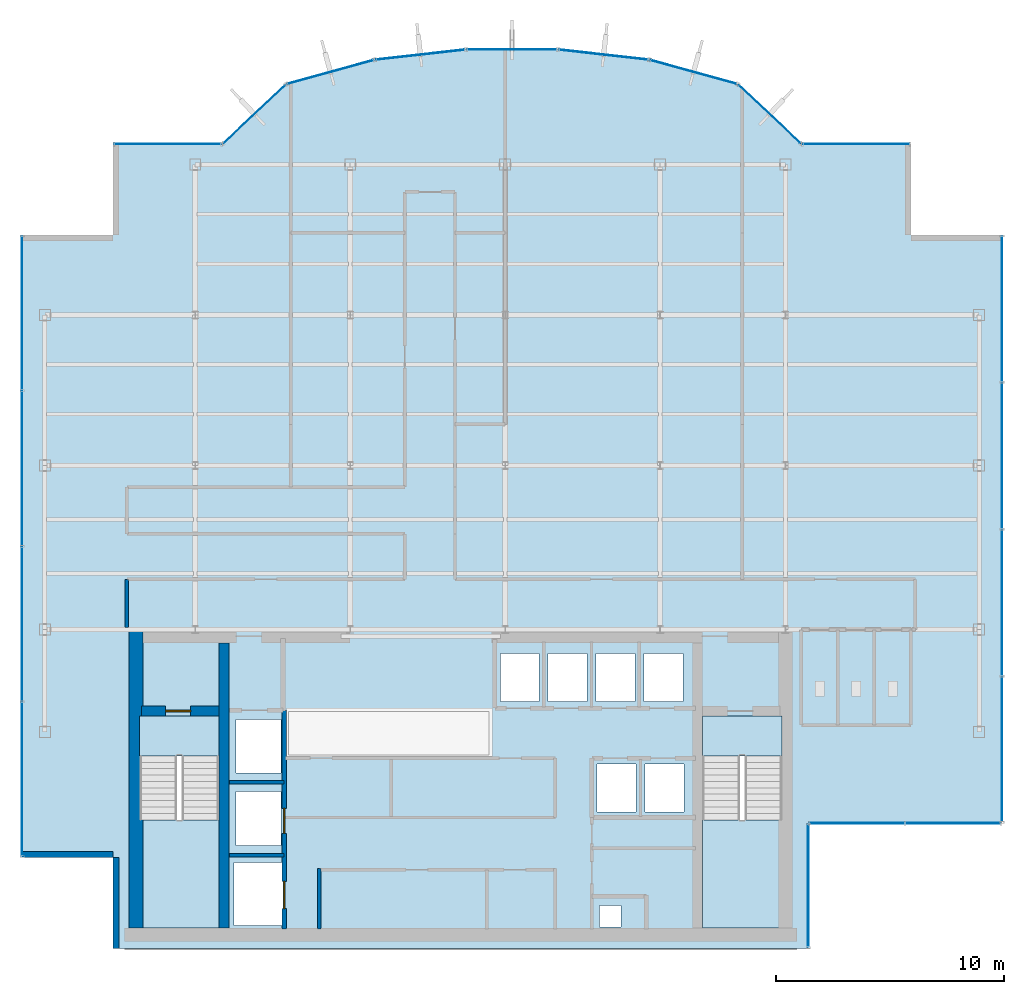
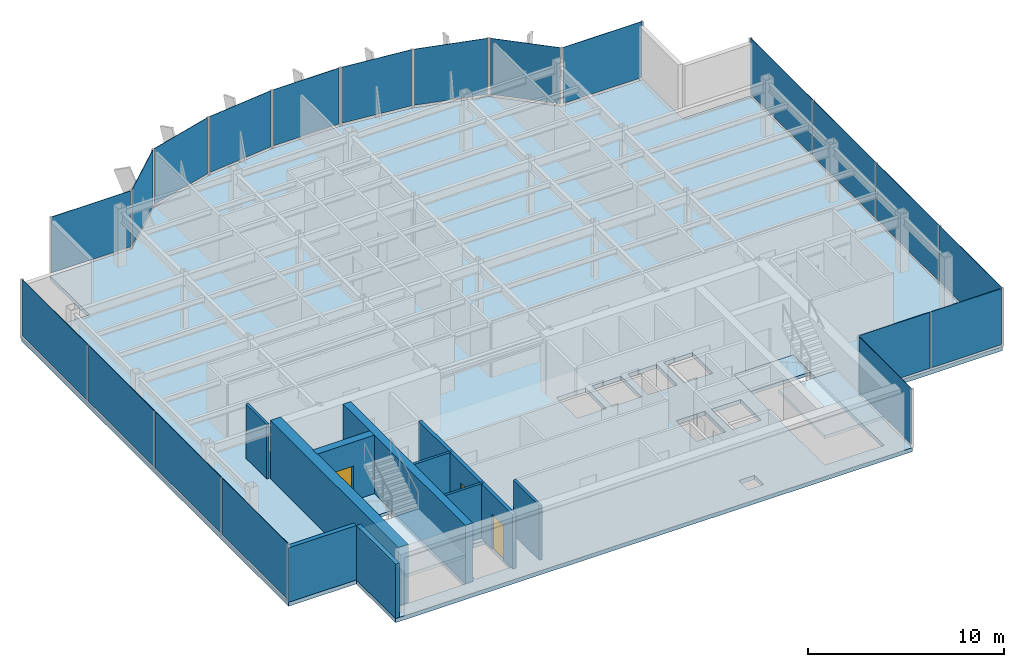
# One storey, part 16 of 22: 20 plates, 10 walls, 5 slabs, 3 doors, 3 openings, 15 elements without a shape of their own.
"""IFC4 building model written with IfcOpenShell, lengths in metres."""

from ifc_helpers import new_model, si_unit, derived_unit, direction, frame, frame_2d, origin, origin_2d, place, context, subcontext, project, spatial, polyline, rectangle, outline, extrude, source, transform, mapped, material, layer, layer_set, type_object, element, fill, aggregate, save


model = new_model("IFC4")

# Units and contexts
model_context = context("Model", 3, precision=1e-05, world=origin(), true_north=direction((0.0, 1.0)))
body_context = subcontext(model_context, "Body", "Model", "MODEL_VIEW")
ifc_project = project(units=[si_unit("LENGTHUNIT", "METRE"), si_unit("AREAUNIT", "SQUARE_METRE"), si_unit("VOLUMEUNIT", "CUBIC_METRE"), si_unit("PLANEANGLEUNIT", "RADIAN"), si_unit("MASSUNIT", "GRAM", prefix="KILO"), derived_unit("THERMALTRANSMITTANCEUNIT", [(si_unit("POWERUNIT", "WATT"), 1), (si_unit("LENGTHUNIT", "METRE"), -2), (si_unit("THERMODYNAMICTEMPERATUREUNIT", "KELVIN"), -1)])], contexts=[model_context])

# Site, building, storey
site_placement = place(None, origin())
site = spatial("IfcSite", under=ifc_project, at=site_placement, CompositionType="ELEMENT")
building_placement = place(site_placement, origin())
building = spatial("IfcBuilding", under=site, at=building_placement, Name="Skarnbrae Concourse Arena and Tower", CompositionType="ELEMENT")
storey_placement = place(building_placement, frame((0.0, 0.0, 228.75)))
storey = spatial("IfcBuildingStorey", under=building, at=storey_placement, Name="L59", CompositionType="ELEMENT", Elevation=228.75)

# Stair, slab
ifc_material_1 = material(Name="Concrete 40 MPa (C40/50)", Category="concrete")
stair_type = type_object("IfcStairType", Name="STAIR-DOGLEG-1650", PredefinedType="HALF_TURN_STAIR", material=ifc_material_1)
stair_1_placement = place(storey_placement, origin())
stair_1 = element("IfcStair", 1, at=stair_1_placement, inside=storey, type_object=stair_type, Name="L59 Protected Exit Stair ST-1", PredefinedType="HALF_TURN_STAIR")
ifc_layer_1 = layer(ifc_material_1, 0.199951171875)
ifc_layer_set_1 = layer_set([ifc_layer_1], Name="Concrete 40 MPa (C40/50)")
slab_type_1 = type_object("IfcSlabType", Name="SLAB-LANDING-200", PredefinedType="LANDING", material=ifc_layer_set_1)
slab_1_placement = place(storey_placement, frame((0.0, 0.0, 1.625)))
slab_1 = element("IfcSlab", 2, at=slab_1_placement, type_object=slab_type_1, Name="ST-1 landing 1", PredefinedType="LANDING", context=body_context, shape_type="SweptSolid", body=[
    extrude(outline(polyline([(5.14990234375, 5.64990234375), (5.14990234375, 0.89990234375), (8.64990234375, 0.89990234375), (8.64990234375, 5.64990234375), (5.14990234375, 5.64990234375)])), origin(), (0.0, 0.0, 1.0), 0.199951171875),
])
aggregate(stair_1, [slab_1])

stair_2_placement = place(storey_placement, origin())
stair_2 = element("IfcStair", 3, at=stair_2_placement, inside=storey, type_object=stair_type, Name="L59 Protected Exit Stair ST-2", PredefinedType="HALF_TURN_STAIR")
slab_2_placement = place(storey_placement, frame((0.0, 0.0, 1.625)))
slab_2 = element("IfcSlab", 4, at=slab_2_placement, type_object=slab_type_1, Name="ST-2 landing 1", PredefinedType="LANDING", context=body_context, shape_type="SweptSolid", body=[
    extrude(outline(polyline([(29.85009765625, 5.64990234375), (29.85009765625, 0.89990234375), (33.35009765625, 0.89990234375), (33.35009765625, 5.64990234375), (29.85009765625, 5.64990234375)])), origin(), (0.0, 0.0, 1.0), 0.199951171875),
])
aggregate(stair_2, [slab_2])

# Slabs
slab_3_placement = place(storey_placement, frame((0.0, 0.0, -0.199951171875)))
element("IfcSlab", 5, at=slab_3_placement, inside=storey, type_object=slab_type_1, Name="L59 Core stair ST1 floor landing", PredefinedType="LANDING", context=body_context, shape_type="SweptSolid", body=[
    extrude(outline(polyline([(5.14990234375, 10.199951171875), (5.14990234375, 8.449951171875), (8.64990234375, 8.449951171875), (8.64990234375, 10.199951171875), (5.14990234375, 10.199951171875)])), origin(), (0.0, 0.0, 1.0), 0.199951171875),
])
slab_4_placement = place(storey_placement, frame((0.0, 0.0, -0.199951171875)))
element("IfcSlab", 6, at=slab_4_placement, inside=storey, type_object=slab_type_1, Name="L59 Core stair ST2 floor landing", PredefinedType="LANDING", context=body_context, shape_type="SweptSolid", body=[
    extrude(outline(polyline([(29.85009765625, 10.199951171875), (29.85009765625, 8.449951171875), (33.35009765625, 8.449951171875), (33.35009765625, 10.199951171875), (29.85009765625, 10.199951171875)])), origin(), (0.0, 0.0, 1.0), 0.199951171875),
])
ifc_layer_2 = layer(ifc_material_1, 0.25)
ifc_layer_set_2 = layer_set([ifc_layer_2], Name="Concrete 40 MPa (C40/50)")
slab_type_2 = type_object("IfcSlabType", Name="SLAB-TOWER-250", PredefinedType="FLOOR", material=ifc_layer_set_2)
slab_5_placement = place(storey_placement, frame((0.0, 0.0, -0.25)))
element("IfcSlab", 7, at=slab_5_placement, inside=storey, type_object=slab_type_2, Name="L59 Structural floor slab", PredefinedType="FLOOR", context=body_context, shape_type="SweptSolid", body=[
    extrude(outline(polyline([(4.0, 0.0), (34.5, 0.0), (34.5, 5.5), (43.0, 5.5), (43.0, 31.300048828125), (39.0, 31.300048828125), (39.0, 35.300048828125), (34.199951171875, 35.300048828125), (31.40966796875, 37.9267578125), (27.52587890625, 38.9970703125), (23.51708984375, 39.44677734375), (19.48291015625, 39.44677734375), (15.47412109375, 38.9970703125), (11.59033203125, 37.9267578125), (8.800048828125, 35.300048828125), (4.0, 35.300048828125), (4.0, 31.300048828125), (0.0, 31.300048828125), (0.0, 4.0), (4.0, 4.0), (4.0, 0.0)]), holes=[polyline([(9.294921875, 1.02001953125), (9.294921875, 3.780029296875), (11.455078125, 3.780029296875), (11.455078125, 1.02001953125), (9.294921875, 1.02001953125)]), polyline([(8.64990234375, 10.199951171875), (8.64990234375, 0.89990234375), (5.14990234375, 0.89990234375), (5.14990234375, 10.199951171875), (8.64990234375, 10.199951171875)]), polyline([(9.39501953125, 6.8798828125), (11.35498046875, 6.8798828125), (11.35498046875, 4.52001953125), (9.39501953125, 4.52001953125), (9.39501953125, 6.8798828125)]), polyline([(9.39501953125, 7.695068359375), (9.39501953125, 10.054931640625), (11.35498046875, 10.054931640625), (11.35498046875, 7.695068359375), (9.39501953125, 7.695068359375)]), polyline([(20.985107421875, 12.955078125), (22.695068359375, 12.955078125), (22.695068359375, 10.844970703125), (20.985107421875, 10.844970703125), (20.985107421875, 12.955078125)]), polyline([(23.0849609375, 12.955078125), (24.794921875, 12.955078125), (24.794921875, 10.844970703125), (23.0849609375, 10.844970703125), (23.0849609375, 12.955078125)]), polyline([(25.35009765625, 0.949951171875), (25.35009765625, 1.889892578125), (26.280029296875, 1.889892578125), (26.280029296875, 0.949951171875), (25.35009765625, 0.949951171875)]), polyline([(33.35009765625, 10.199951171875), (33.35009765625, 0.89990234375), (29.85009765625, 0.89990234375), (29.85009765625, 10.199951171875), (33.35009765625, 10.199951171875)]), polyline([(25.235107421875, 8.10498046875), (26.945068359375, 8.10498046875), (26.945068359375, 5.9951171875), (25.235107421875, 5.9951171875), (25.235107421875, 8.10498046875)]), polyline([(27.3349609375, 5.9951171875), (27.3349609375, 8.10498046875), (29.044921875, 8.10498046875), (29.044921875, 5.9951171875), (27.3349609375, 5.9951171875)]), polyline([(25.18505859375, 12.955078125), (26.89501953125, 12.955078125), (26.89501953125, 10.844970703125), (25.18505859375, 10.844970703125), (25.18505859375, 12.955078125)]), polyline([(27.284912109375, 12.955078125), (28.9951171875, 12.955078125), (28.9951171875, 10.844970703125), (27.284912109375, 10.844970703125), (27.284912109375, 12.955078125)])]), origin(), (0.0, 0.0, 1.0), 0.25),
])

# Curtain wall, plate
ifc_material_2 = material(Name="Bronze anodised aluminium 6063-T6", Category="aluminium")
curtain_wall_type = type_object("IfcCurtainWallType", Name="CW-SYS-05-HIGHZONE", PredefinedType="USERDEFINED", material=ifc_material_2)
curtain_wall_1_placement = place(storey_placement, origin())
curtain_wall_1 = element("IfcCurtainWall", 8, at=curtain_wall_1_placement, inside=storey, type_object=curtain_wall_type, Name="L59 Unitised curtain wall CW-L59-E02", ObjectType="UNITISED CURTAIN WALL", PredefinedType="USERDEFINED")
ifc_material_3 = material(Name="Low-E triple insulating glass", Category="glass")
ifc_layer_3 = layer(ifc_material_3, 0.030029296875)
ifc_layer_set_3 = layer_set([ifc_layer_3], Name="Low-E triple insulating glass")
plate_type = type_object("IfcPlateType", Name="CWP-CW-05", PredefinedType="CURTAIN_PANEL", material=ifc_layer_set_3)
shared_shape_1 = source(origin(), body_context, "Body", "SweptSolid", [
    extrude(rectangle(XDim=5.35009765625, YDim=0.030029296875, at=origin_2d()), origin(), (0.0, 0.0, 1.0), 3.5),
])
plate_1_placement = place(storey_placement, frame((34.5, 2.75, 0.14990234375), z_axis=(0.0, 0.0, 1.0), x_axis=(0.0, 1.0, 0.0)))
plate_1 = element("IfcPlate", 9, at=plate_1_placement, type_object=plate_type, Name="CW-L59-E02 Low-E Glazing Panel 1", PredefinedType="CURTAIN_PANEL", context=body_context, shape_type="MappedRepresentation", body=[
    mapped(shared_shape_1, transform((0.0, 0.0, 0.0))),
])
aggregate(curtain_wall_1, [plate_1])

# Curtain wall, plates
curtain_wall_2_placement = place(storey_placement, origin())
curtain_wall_2 = element("IfcCurtainWall", 10, at=curtain_wall_2_placement, inside=storey, type_object=curtain_wall_type, Name="L59 Unitised curtain wall CW-L59-E03", ObjectType="UNITISED CURTAIN WALL", PredefinedType="USERDEFINED")
shared_shape_2 = source(origin(), body_context, "Body", "SweptSolid", [
    extrude(rectangle(XDim=4.137451171875, YDim=0.030029296875, at=origin_2d()), origin(), (0.0, 0.0, 1.0), 3.5),
])
plate_2_placement = place(storey_placement, frame((36.643798828125, 5.5, 0.14990234375), z_axis=(0.0, 0.0, 1.0), x_axis=(1.0, 0.0, 0.0)))
plate_2 = element("IfcPlate", 11, at=plate_2_placement, type_object=plate_type, Name="CW-L59-E03 Low-E Glazing Panel 1", PredefinedType="CURTAIN_PANEL", context=body_context, shape_type="MappedRepresentation", body=[
    mapped(shared_shape_2, transform((0.0, 0.0, 0.0))),
])
plate_3_placement = place(storey_placement, frame((40.856201171875, 5.5, 0.14990234375), z_axis=(0.0, 0.0, 1.0), x_axis=(1.0, 0.0, 0.0)))
plate_3 = element("IfcPlate", 12, at=plate_3_placement, type_object=plate_type, Name="CW-L59-E03 Low-E Glazing Panel 2", PredefinedType="CURTAIN_PANEL", context=body_context, shape_type="MappedRepresentation", body=[
    mapped(shared_shape_2, transform((0.0, 0.0, 0.0))),
])
aggregate(curtain_wall_2, [plate_2, plate_3])

# Curtain wall, plate
curtain_wall_3_placement = place(storey_placement, origin())
curtain_wall_3 = element("IfcCurtainWall", 13, at=curtain_wall_3_placement, inside=storey, type_object=curtain_wall_type, Name="L59 Unitised curtain wall CW-L59-E07", ObjectType="UNITISED CURTAIN WALL", PredefinedType="USERDEFINED")
shared_shape_3 = source(origin(), body_context, "Body", "SweptSolid", [
    extrude(rectangle(XDim=4.64990234375, YDim=0.030029296875, at=origin_2d()), origin(), (0.0, 0.0, 1.0), 3.5),
])
plate_4_placement = place(storey_placement, frame((36.60009765625, 35.300048828125, 0.14990234375), z_axis=(0.0, 0.0, 1.0), x_axis=(-1.0, 0.0, 0.0)))
plate_4 = element("IfcPlate", 14, at=plate_4_placement, type_object=plate_type, Name="CW-L59-E07 Low-E Glazing Panel 1", PredefinedType="CURTAIN_PANEL", context=body_context, shape_type="MappedRepresentation", body=[
    mapped(shared_shape_3, transform((0.0, 0.0, 0.0))),
])
aggregate(curtain_wall_3, [plate_4])

curtain_wall_4_placement = place(storey_placement, origin())
curtain_wall_4 = element("IfcCurtainWall", 15, at=curtain_wall_4_placement, inside=storey, type_object=curtain_wall_type, Name="L59 Unitised curtain wall CW-L59-E15", ObjectType="UNITISED CURTAIN WALL", PredefinedType="USERDEFINED")
plate_5_placement = place(storey_placement, frame((6.39990234375, 35.300048828125, 0.14990234375), z_axis=(0.0, 0.0, 1.0), x_axis=(-1.0, 0.0, 0.0)))
plate_5 = element("IfcPlate", 16, at=plate_5_placement, type_object=plate_type, Name="CW-L59-E15 Low-E Glazing Panel 1", PredefinedType="CURTAIN_PANEL", context=body_context, shape_type="MappedRepresentation", body=[
    mapped(shared_shape_3, transform((0.0, 0.0, 0.0))),
])
aggregate(curtain_wall_4, [plate_5])

curtain_wall_5_placement = place(storey_placement, origin())
curtain_wall_5 = element("IfcCurtainWall", 17, at=curtain_wall_5_placement, inside=storey, type_object=curtain_wall_type, Name="L59 Unitised curtain wall CW-L59-E08", ObjectType="UNITISED CURTAIN WALL", PredefinedType="USERDEFINED")
shared_shape_4 = source(origin(), body_context, "Body", "SweptSolid", [
    extrude(rectangle(XDim=3.68212890625, YDim=0.030029296875, at=origin_2d()), origin(), (0.0, 0.0, 1.0), 3.5),
])
plate_6_placement = place(storey_placement, frame((32.804931640625, 36.61328125, 0.14990234375), z_axis=(0.0, 0.0, 1.0), x_axis=(-0.728130555214, 0.685438468838, 0.0)))
plate_6 = element("IfcPlate", 18, at=plate_6_placement, type_object=plate_type, Name="CW-L59-E08 Low-E Glazing Panel 1", PredefinedType="CURTAIN_PANEL", context=body_context, shape_type="MappedRepresentation", body=[
    mapped(shared_shape_4, transform((0.0, 0.0, 0.0))),
])
aggregate(curtain_wall_5, [plate_6])

curtain_wall_6_placement = place(storey_placement, origin())
curtain_wall_6 = element("IfcCurtainWall", 19, at=curtain_wall_6_placement, inside=storey, type_object=curtain_wall_type, Name="L59 Unitised curtain wall CW-L59-E14", ObjectType="UNITISED CURTAIN WALL", PredefinedType="USERDEFINED")
plate_7_placement = place(storey_placement, frame((10.195068359375, 36.61328125, 0.14990234375), z_axis=(0.0, 0.0, 1.0), x_axis=(-0.728130555214, -0.685438468838, 0.0)))
plate_7 = element("IfcPlate", 20, at=plate_7_placement, type_object=plate_type, Name="CW-L59-E14 Low-E Glazing Panel 1", PredefinedType="CURTAIN_PANEL", context=body_context, shape_type="MappedRepresentation", body=[
    mapped(shared_shape_4, transform((0.0, 0.0, 0.0))),
])
aggregate(curtain_wall_6, [plate_7])

curtain_wall_7_placement = place(storey_placement, origin())
curtain_wall_7 = element("IfcCurtainWall", 21, at=curtain_wall_7_placement, inside=storey, type_object=curtain_wall_type, Name="L59 Unitised curtain wall CW-L59-E09", ObjectType="UNITISED CURTAIN WALL", PredefinedType="USERDEFINED")
shared_shape_5 = source(origin(), body_context, "Body", "SweptSolid", [
    extrude(rectangle(XDim=3.878662109375, YDim=0.030029296875, at=origin_2d()), origin(), (0.0, 0.0, 1.0), 3.5),
])
plate_8_placement = place(storey_placement, frame((29.4677734375, 38.4619140625, 0.14990234375), z_axis=(0.0, 0.0, 1.0), x_axis=(-0.964057388766, 0.265694093207, 0.0)))
plate_8 = element("IfcPlate", 22, at=plate_8_placement, type_object=plate_type, Name="CW-L59-E09 Low-E Glazing Panel 1", PredefinedType="CURTAIN_PANEL", context=body_context, shape_type="MappedRepresentation", body=[
    mapped(shared_shape_5, transform((0.0, 0.0, 0.0))),
])
aggregate(curtain_wall_7, [plate_8])

curtain_wall_8_placement = place(storey_placement, origin())
curtain_wall_8 = element("IfcCurtainWall", 23, at=curtain_wall_8_placement, inside=storey, type_object=curtain_wall_type, Name="L59 Unitised curtain wall CW-L59-E13", ObjectType="UNITISED CURTAIN WALL", PredefinedType="USERDEFINED")
plate_9_placement = place(storey_placement, frame((13.5322265625, 38.4619140625, 0.14990234375), z_axis=(0.0, 0.0, 1.0), x_axis=(-0.964057388766, -0.265694093207, 0.0)))
plate_9 = element("IfcPlate", 24, at=plate_9_placement, type_object=plate_type, Name="CW-L59-E13 Low-E Glazing Panel 1", PredefinedType="CURTAIN_PANEL", context=body_context, shape_type="MappedRepresentation", body=[
    mapped(shared_shape_5, transform((0.0, 0.0, 0.0))),
])
aggregate(curtain_wall_8, [plate_9])

curtain_wall_9_placement = place(storey_placement, origin())
curtain_wall_9 = element("IfcCurtainWall", 25, at=curtain_wall_9_placement, inside=storey, type_object=curtain_wall_type, Name="L59 Unitised curtain wall CW-L59-E10", ObjectType="UNITISED CURTAIN WALL", PredefinedType="USERDEFINED")
shared_shape_6 = source(origin(), body_context, "Body", "SweptSolid", [
    extrude(rectangle(XDim=3.8837890625, YDim=0.030029296875, at=origin_2d()), origin(), (0.0, 0.0, 1.0), 3.5),
])
plate_10_placement = place(storey_placement, frame((25.521484375, 39.221923828125, 0.14990234375), z_axis=(0.0, 0.0, 1.0), x_axis=(-0.993768891873, 0.111460259941, 0.0)))
plate_10 = element("IfcPlate", 26, at=plate_10_placement, type_object=plate_type, Name="CW-L59-E10 Low-E Glazing Panel 1", PredefinedType="CURTAIN_PANEL", context=body_context, shape_type="MappedRepresentation", body=[
    mapped(shared_shape_6, transform((0.0, 0.0, 0.0))),
])
aggregate(curtain_wall_9, [plate_10])

curtain_wall_10_placement = place(storey_placement, origin())
curtain_wall_10 = element("IfcCurtainWall", 27, at=curtain_wall_10_placement, inside=storey, type_object=curtain_wall_type, Name="L59 Unitised curtain wall CW-L59-E12", ObjectType="UNITISED CURTAIN WALL", PredefinedType="USERDEFINED")
plate_11_placement = place(storey_placement, frame((17.478515625, 39.221923828125, 0.14990234375), z_axis=(0.0, 0.0, 1.0), x_axis=(-0.993768891873, -0.111460259941, 0.0)))
plate_11 = element("IfcPlate", 28, at=plate_11_placement, type_object=plate_type, Name="CW-L59-E12 Low-E Glazing Panel 1", PredefinedType="CURTAIN_PANEL", context=body_context, shape_type="MappedRepresentation", body=[
    mapped(shared_shape_6, transform((0.0, 0.0, 0.0))),
])
aggregate(curtain_wall_10, [plate_11])

curtain_wall_11_placement = place(storey_placement, origin())
curtain_wall_11 = element("IfcCurtainWall", 29, at=curtain_wall_11_placement, inside=storey, type_object=curtain_wall_type, Name="L59 Unitised curtain wall CW-L59-E11", ObjectType="UNITISED CURTAIN WALL", PredefinedType="USERDEFINED")
shared_shape_7 = source(origin(), body_context, "Body", "SweptSolid", [
    extrude(rectangle(XDim=3.884521484375, YDim=0.030029296875, at=origin_2d()), origin(), (0.0, 0.0, 1.0), 3.5),
])
plate_12_placement = place(storey_placement, frame((21.5, 39.44677734375, 0.14990234375), z_axis=(0.0, 0.0, 1.0), x_axis=(-1.0, 0.0, 0.0)))
plate_12 = element("IfcPlate", 30, at=plate_12_placement, type_object=plate_type, Name="CW-L59-E11 Low-E Glazing Panel 1", PredefinedType="CURTAIN_PANEL", context=body_context, shape_type="MappedRepresentation", body=[
    mapped(shared_shape_7, transform((0.0, 0.0, 0.0))),
])
aggregate(curtain_wall_11, [plate_12])

# Curtain wall, plates
curtain_wall_12_placement = place(storey_placement, origin())
curtain_wall_12 = element("IfcCurtainWall", 31, at=curtain_wall_12_placement, inside=storey, type_object=curtain_wall_type, Name="L59 Unitised curtain wall CW-L59-E18", ObjectType="UNITISED CURTAIN WALL", PredefinedType="USERDEFINED")
shared_shape_8 = source(origin(), body_context, "Body", "SweptSolid", [
    extrude(rectangle(XDim=6.71240234375, YDim=0.030029296875, at=origin_2d()), origin(), (0.0, 0.0, 1.0), 3.5),
])
plate_13_placement = place(storey_placement, frame((0.0, 27.86865234375, 0.14990234375), z_axis=(0.0, 0.0, 1.0), x_axis=(0.0, -1.0, 0.0)))
plate_13 = element("IfcPlate", 32, at=plate_13_placement, type_object=plate_type, Name="CW-L59-E18 Low-E Glazing Panel 1", PredefinedType="CURTAIN_PANEL", context=body_context, shape_type="MappedRepresentation", body=[
    mapped(shared_shape_8, transform((0.0, 0.0, 0.0))),
])
plate_14_placement = place(storey_placement, frame((0.0, 7.431396484375, 0.14990234375), z_axis=(0.0, 0.0, 1.0), x_axis=(0.0, -1.0, 0.0)))
plate_14 = element("IfcPlate", 33, at=plate_14_placement, type_object=plate_type, Name="CW-L59-E18 Low-E Glazing Panel 4", PredefinedType="CURTAIN_PANEL", context=body_context, shape_type="MappedRepresentation", body=[
    mapped(shared_shape_8, transform((0.0, 0.0, 0.0))),
])
shared_shape_9 = source(origin(), body_context, "Body", "SweptSolid", [
    extrude(rectangle(XDim=6.75, YDim=0.030029296875, at=origin_2d()), origin(), (0.0, 0.0, 1.0), 3.5),
])
plate_15_placement = place(storey_placement, frame((0.0, 21.0625, 0.14990234375), z_axis=(0.0, 0.0, 1.0), x_axis=(0.0, -1.0, 0.0)))
plate_15 = element("IfcPlate", 34, at=plate_15_placement, type_object=plate_type, Name="CW-L59-E18 Low-E Glazing Panel 2", PredefinedType="CURTAIN_PANEL", context=body_context, shape_type="MappedRepresentation", body=[
    mapped(shared_shape_9, transform((0.0, 0.0, 0.0))),
])
plate_16_placement = place(storey_placement, frame((0.0, 14.237548828125, 0.14990234375), z_axis=(0.0, 0.0, 1.0), x_axis=(0.0, -1.0, 0.0)))
plate_16 = element("IfcPlate", 35, at=plate_16_placement, type_object=plate_type, Name="CW-L59-E18 Low-E Glazing Panel 3", PredefinedType="CURTAIN_PANEL", context=body_context, shape_type="MappedRepresentation", body=[
    mapped(shared_shape_9, transform((0.0, 0.0, 0.0))),
])
aggregate(curtain_wall_12, [plate_13, plate_15, plate_16, plate_14])

curtain_wall_13_placement = place(storey_placement, origin())
curtain_wall_13 = element("IfcCurtainWall", 36, at=curtain_wall_13_placement, inside=storey, type_object=curtain_wall_type, Name="L59 Unitised curtain wall CW-L59-E04", ObjectType="UNITISED CURTAIN WALL", PredefinedType="USERDEFINED")
shared_shape_10 = source(origin(), body_context, "Body", "SweptSolid", [
    extrude(rectangle(XDim=6.33740234375, YDim=0.030029296875, at=origin_2d()), origin(), (0.0, 0.0, 1.0), 3.5),
])
plate_17_placement = place(storey_placement, frame((43.0, 8.743896484375, 0.14990234375), z_axis=(0.0, 0.0, 1.0), x_axis=(0.0, 1.0, 0.0)))
plate_17 = element("IfcPlate", 37, at=plate_17_placement, type_object=plate_type, Name="CW-L59-E04 Low-E Glazing Panel 1", PredefinedType="CURTAIN_PANEL", context=body_context, shape_type="MappedRepresentation", body=[
    mapped(shared_shape_10, transform((0.0, 0.0, 0.0))),
])
plate_18_placement = place(storey_placement, frame((43.0, 28.05615234375, 0.14990234375), z_axis=(0.0, 0.0, 1.0), x_axis=(0.0, 1.0, 0.0)))
plate_18 = element("IfcPlate", 38, at=plate_18_placement, type_object=plate_type, Name="CW-L59-E04 Low-E Glazing Panel 4", PredefinedType="CURTAIN_PANEL", context=body_context, shape_type="MappedRepresentation", body=[
    mapped(shared_shape_10, transform((0.0, 0.0, 0.0))),
])
shared_shape_11 = source(origin(), body_context, "Body", "SweptSolid", [
    extrude(rectangle(XDim=6.375, YDim=0.030029296875, at=origin_2d()), origin(), (0.0, 0.0, 1.0), 3.5),
])
plate_19_placement = place(storey_placement, frame((43.0, 15.175048828125, 0.14990234375), z_axis=(0.0, 0.0, 1.0), x_axis=(0.0, 1.0, 0.0)))
plate_19 = element("IfcPlate", 39, at=plate_19_placement, type_object=plate_type, Name="CW-L59-E04 Low-E Glazing Panel 2", PredefinedType="CURTAIN_PANEL", context=body_context, shape_type="MappedRepresentation", body=[
    mapped(shared_shape_11, transform((0.0, 0.0, 0.0))),
])
plate_20_placement = place(storey_placement, frame((43.0, 21.625, 0.14990234375), z_axis=(0.0, 0.0, 1.0), x_axis=(0.0, 1.0, 0.0)))
plate_20 = element("IfcPlate", 40, at=plate_20_placement, type_object=plate_type, Name="CW-L59-E04 Low-E Glazing Panel 3", PredefinedType="CURTAIN_PANEL", context=body_context, shape_type="MappedRepresentation", body=[
    mapped(shared_shape_11, transform((0.0, 0.0, 0.0))),
])
aggregate(curtain_wall_13, [plate_17, plate_19, plate_20, plate_18])

# Wall, opening, door
ifc_material_4 = material(Name="Concrete 50 MPa (C50/60)", Category="concrete")
ifc_layer_4 = layer(ifc_material_4, 0.449951171875)
ifc_layer_set_4 = layer_set([ifc_layer_4], Name="Concrete 50 MPa (C50/60)")
wall_type_1 = type_object("IfcWallType", Name="WALL-CORE-450-C50", PredefinedType="SHEAR", material=ifc_layer_set_4)
shared_shape_12 = source(origin(), body_context, "Body", "SweptSolid", [
    extrude(rectangle(XDim=3.389892578125, YDim=0.449951171875, at=frame_2d((1.69482421875, 0.0))), origin(), (0.0, 0.0, 1.0), 3.64990234375),
])
wall_1_placement = place(storey_placement, frame((5.25, 10.419921875, 0.0), z_axis=(0.0, 0.0, 1.0), x_axis=(1.0, 0.0, 0.0)))
wall_1 = element("IfcWall", 41, at=wall_1_placement, inside=storey, type_object=wall_type_1, Name="L59 Rear core shear wall CW-ST1-N", PredefinedType="SHEAR", context=body_context, shape_type="MappedRepresentation", body=[
    mapped(shared_shape_12, transform((0.0, 0.0, 0.0))),
])
opening_1_placement = place(wall_1_placement, frame((1.050048828125, 0.0, 0.0)))
opening_1 = element("IfcOpeningElement", 42, at=opening_1_placement, cuts=wall_1, Name="Opening DT-03", PredefinedType="OPENING", context=body_context, shape_type="SweptSolid", body=[
    extrude(rectangle(XDim=1.10009765625, YDim=2.14990234375, at=frame_2d((0.550048828125, 1.074951171875))), frame((0.0, 0.23486328125, 0.0), z_axis=(0.0, -1.0, 0.0), x_axis=(1.0, 0.0, 0.0)), (0.0, 0.0, 1.0), 0.469970703125),
])
ifc_material_5 = material(Name="Steel CSA G40.21 350W", Category="steel")
door_type_1 = type_object("IfcDoorType", Name="DOOR-FIRE-1100-90M", OperationType="NOTDEFINED", PredefinedType="DOOR", material=ifc_material_5)
shared_shape_13 = source(origin(), body_context, "Body", "SweptSolid", [
    extrude(rectangle(XDim=1.10009765625, YDim=2.14990234375, at=frame_2d((0.550048828125, 1.074951171875))), frame((0.0, 0.02490234375, 0.0), z_axis=(0.0, -1.0, 0.0), x_axis=(1.0, 0.0, 0.0)), (0.0, 0.0, 1.0), 0.050048828125),
])
door_1_placement = place(opening_1_placement, frame((1.10009765625, 0.0, 0.0), z_axis=(0.0, 0.0, 1.0), x_axis=(-1.0, 0.0, 0.0)))
door_1 = element("IfcDoor", 43, at=door_1_placement, inside=storey, type_object=door_type_1, Name="D-1790 Stair ST-1 Door", OperationType="SINGLE_SWING_LEFT", OverallHeight=2.14990234375, OverallWidth=1.10009765625, PredefinedType="DOOR", context=body_context, shape_type="MappedRepresentation", body=[
    mapped(shared_shape_13, transform((0.0, 0.0, 0.0))),
])
fill(opening_1, door_1)

# Walls
ifc_layer_5 = layer(ifc_material_4, 0.60009765625)
ifc_layer_set_5 = layer_set([ifc_layer_5], Name="Concrete 50 MPa (C50/60)")
wall_type_2 = type_object("IfcWallType", Name="WALL-CORE-600-C50", PredefinedType="SHEAR", material=ifc_layer_set_5)
shared_shape_14 = source(origin(), body_context, "Body", "SweptSolid", [
    extrude(rectangle(XDim=13.10009765625, YDim=0.60009765625, at=frame_2d((6.550048828125, 0.0))), origin(), (0.0, 0.0, 1.0), 3.64990234375),
])
wall_2_placement = place(storey_placement, frame((5.0, 0.89990234375, 0.0), z_axis=(0.0, 0.0, 1.0), x_axis=(0.0, 1.0, 0.0)))
element("IfcWall", 44, at=wall_2_placement, inside=storey, type_object=wall_type_2, Name="L59 Rear core shear wall CW-W", PredefinedType="SHEAR", context=body_context, shape_type="MappedRepresentation", body=[
    mapped(shared_shape_14, transform((0.0, 0.0, 0.0))),
])
shared_shape_15 = source(origin(), body_context, "Body", "SweptSolid", [
    extrude(rectangle(XDim=12.5, YDim=0.449951171875, at=frame_2d((6.25, 0.0))), origin(), (0.0, 0.0, 1.0), 3.64990234375),
])
wall_3_placement = place(storey_placement, frame((8.864990234375, 0.89990234375, 0.0), z_axis=(0.0, 0.0, 1.0), x_axis=(0.0, 1.0, 0.0)))
element("IfcWall", 45, at=wall_3_placement, inside=storey, type_object=wall_type_1, Name="L59 Rear core shear wall CW-WEB-W", PredefinedType="SHEAR", context=body_context, shape_type="MappedRepresentation", body=[
    mapped(shared_shape_15, transform((0.0, 0.0, 0.0))),
])
ifc_material_6 = material(Name="Precast concrete 40 MPa (C40/50)", Category="concrete")
ifc_layer_6 = layer(ifc_material_6, 0.25)
ifc_layer_set_6 = layer_set([ifc_layer_6], Name="Precast concrete 40 MPa (C40/50)")
wall_type_3 = type_object("IfcWallType", Name="WALL-EXT-SPANDREL-250", PredefinedType="STANDARD", material=ifc_layer_set_6)
shared_shape_16 = source(origin(), body_context, "Body", "SweptSolid", [
    extrude(rectangle(XDim=4.0, YDim=0.25, at=frame_2d((2.0, 0.0))), origin(), (0.0, 0.0, 1.0), 3.39990234375),
])
for number, where, z_axis, x_axis, name in (
    (46, (0.0, 4.125, 0.0), (0.0, 0.0, 1.0), (1.0, 0.0, 0.0), "L59 Notched corner insulated return wall 19"),
    (47, (4.125, 4.0, 0.0), (0.0, 0.0, 1.0), (0.0, -1.0, 0.0), "L59 Notched corner insulated return wall 20"),
):
    element("IfcWall", number, at=place(storey_placement, frame(where, z_axis=z_axis, x_axis=x_axis)), inside=storey, type_object=wall_type_3, Name=name, PredefinedType="STANDARD", context=body_context, shape_type="MappedRepresentation", body=[
        mapped(shared_shape_16, transform((0.0, 0.0, 0.0))),
    ])

# Wall, openings, doors
ifc_material_7 = material(Name="Gypsum board on cold-formed steel studs", Category="steel")
ifc_layer_7 = layer(ifc_material_7, 0.199951171875)
ifc_layer_set_7 = layer_set([ifc_layer_7], Name="Gypsum board on cold-formed steel studs")
wall_type_4 = type_object("IfcWallType", Name="WALL-PART-200-2HR", PredefinedType="PARTITIONING", material=ifc_layer_set_7)
shared_shape_17 = source(origin(), body_context, "Body", "SweptSolid", [
    extrude(rectangle(XDim=9.599853515625, YDim=0.199951171875, at=frame_2d((4.7998046875, 0.0))), origin(), (0.0, 0.0, 1.0), 3.39990234375),
])
wall_4_placement = place(storey_placement, frame((11.5, 0.85009765625, 0.0), z_axis=(0.0, 0.0, 1.0), x_axis=(0.0, 1.0, 0.0)))
wall_4 = element("IfcWall", 48, at=wall_4_placement, inside=storey, type_object=wall_type_4, Name="L59 Interior partition wall W-L59-FL-E", PredefinedType="PARTITIONING", context=body_context, shape_type="MappedRepresentation", body=[
    mapped(shared_shape_17, transform((0.0, 0.0, 0.0))),
])
opening_2_placement = place(wall_4_placement, frame((4.199951171875, 0.0, 0.0)))
opening_2 = element("IfcOpeningElement", 49, at=opening_2_placement, cuts=wall_4, Name="Opening LD-01", PredefinedType="OPENING", context=body_context, shape_type="SweptSolid", body=[
    extrude(rectangle(XDim=1.10009765625, YDim=2.14990234375, at=frame_2d((0.550048828125, 1.074951171875))), frame((0.0, 0.10986328125, 0.0), z_axis=(0.0, -1.0, 0.0), x_axis=(1.0, 0.0, 0.0)), (0.0, 0.0, 1.0), 0.219970703125),
])
opening_3_placement = place(wall_4_placement, frame((0.89990234375, 0.0, 0.0)))
opening_3 = element("IfcOpeningElement", 50, at=opening_3_placement, cuts=wall_4, Name="Opening LD-02", PredefinedType="OPENING", context=body_context, shape_type="SweptSolid", body=[
    extrude(rectangle(XDim=1.199951171875, YDim=2.14990234375, at=frame_2d((0.60009765625, 1.074951171875))), frame((0.0, 0.10986328125, 0.0), z_axis=(0.0, -1.0, 0.0), x_axis=(1.0, 0.0, 0.0)), (0.0, 0.0, 1.0), 0.219970703125),
])
door_type_2 = type_object("IfcDoorType", Name="DOOR-LIFT-SLIDE-1100", OperationType="SLIDING_TO_LEFT", PredefinedType="DOOR", material=ifc_material_5)
door_2_placement = place(opening_2_placement, frame((1.10009765625, 0.0, 0.0), z_axis=(0.0, 0.0, 1.0), x_axis=(-1.0, 0.0, 0.0)))
door_2 = element("IfcDoor", 51, at=door_2_placement, inside=storey, type_object=door_type_2, Name="D-1795 Firefighting Lift Landing Door FL-02", OperationType="SLIDING_TO_LEFT", OverallHeight=2.14990234375, OverallWidth=1.10009765625, PredefinedType="DOOR", context=body_context, shape_type="MappedRepresentation", body=[
    mapped(shared_shape_13, transform((0.0, 0.0, 0.0))),
])
fill(opening_2, door_2)
door_type_3 = type_object("IfcDoorType", Name="DOOR-LIFT-SLIDE-1200", OperationType="SLIDING_TO_LEFT", PredefinedType="DOOR", material=ifc_material_5)
shared_shape_18 = source(origin(), body_context, "Body", "SweptSolid", [
    extrude(rectangle(XDim=1.199951171875, YDim=2.14990234375, at=frame_2d((0.60009765625, 1.074951171875))), frame((0.0, 0.02490234375, 0.0), z_axis=(0.0, -1.0, 0.0), x_axis=(1.0, 0.0, 0.0)), (0.0, 0.0, 1.0), 0.050048828125),
])
door_3_placement = place(opening_3_placement, frame((1.199951171875, 0.0, 0.0), z_axis=(0.0, 0.0, 1.0), x_axis=(-1.0, 0.0, 0.0)))
door_3 = element("IfcDoor", 52, at=door_3_placement, inside=storey, type_object=door_type_3, Name="D-1796 Service Lift Landing Door SV-01", OperationType="SLIDING_TO_LEFT", OverallHeight=2.14990234375, OverallWidth=1.199951171875, PredefinedType="DOOR", context=body_context, shape_type="MappedRepresentation", body=[
    mapped(shared_shape_18, transform((0.0, 0.0, 0.0))),
])
fill(opening_3, door_3)

# Walls
ifc_layer_8 = layer(ifc_material_7, 0.14990234375)
ifc_layer_set_8 = layer_set([ifc_layer_8], Name="Gypsum board on cold-formed steel studs")
wall_type_5 = type_object("IfcWallType", Name="WALL-PART-150", PredefinedType="PARTITIONING", material=ifc_layer_set_8)
shared_shape_19 = source(origin(), body_context, "Body", "SweptSolid", [
    extrude(rectangle(XDim=2.39990234375, YDim=0.14990234375, at=frame_2d((1.199951171875, 0.0))), origin(), (0.0, 0.0, 1.0), 3.39990234375),
])
for number, where, z_axis, x_axis, name in (
    (53, (9.10009765625, 4.10009765625, 0.0), (0.0, 0.0, 1.0), (1.0, 0.0, 0.0), "L59 Interior partition wall W-L59-FL-D1"),
    (54, (9.10009765625, 7.300048828125, 0.0), (0.0, 0.0, 1.0), (1.0, 0.0, 0.0), "L59 Interior partition wall W-L59-FL-D2"),
):
    element("IfcWall", number, at=place(storey_placement, frame(where, z_axis=z_axis, x_axis=x_axis)), inside=storey, type_object=wall_type_5, Name=name, PredefinedType="PARTITIONING", context=body_context, shape_type="MappedRepresentation", body=[
        mapped(shared_shape_19, transform((0.0, 0.0, 0.0))),
    ])
ifc_layer_9 = layer(ifc_material_7, 0.14990234375)
ifc_layer_set_9 = layer_set([ifc_layer_9], Name="Gypsum board on cold-formed steel studs")
wall_type_6 = type_object("IfcWallType", Name="WALL-PART-150-1HR", PredefinedType="PARTITIONING", material=ifc_layer_set_9)
shared_shape_20 = source(origin(), body_context, "Body", "SweptSolid", [
    extrude(rectangle(XDim=2.64990234375, YDim=0.14990234375, at=frame_2d((1.324951171875, 0.0))), origin(), (0.0, 0.0, 1.0), 3.39990234375),
])
wall_5_placement = place(storey_placement, frame((13.050048828125, 0.85009765625, 0.0), z_axis=(0.0, 0.0, 1.0), x_axis=(0.0, 1.0, 0.0)))
element("IfcWall", 55, at=wall_5_placement, inside=storey, type_object=wall_type_6, Name="L59 Interior partition wall W-L59-B1M-W", PredefinedType="PARTITIONING", context=body_context, shape_type="MappedRepresentation", body=[
    mapped(shared_shape_20, transform((0.0, 0.0, 0.0))),
])
shared_shape_21 = source(origin(), body_context, "Body", "SweptSolid", [
    extrude(rectangle(XDim=2.119873046875, YDim=0.14990234375, at=frame_2d((1.06005859375, 0.0))), origin(), (0.0, 0.0, 1.0), 3.39990234375),
])
wall_6_placement = place(storey_placement, frame((4.60009765625, 14.080078125, 0.0), z_axis=(0.0, 0.0, 1.0), x_axis=(0.0, 1.0, 0.0)))
element("IfcWall", 56, at=wall_6_placement, inside=storey, type_object=wall_type_6, Name="L59 Interior partition wall W-L59-COR-01", PredefinedType="PARTITIONING", context=body_context, shape_type="MappedRepresentation", body=[
    mapped(shared_shape_21, transform((0.0, 0.0, 0.0))),
])

save(model, "model.ifc")
